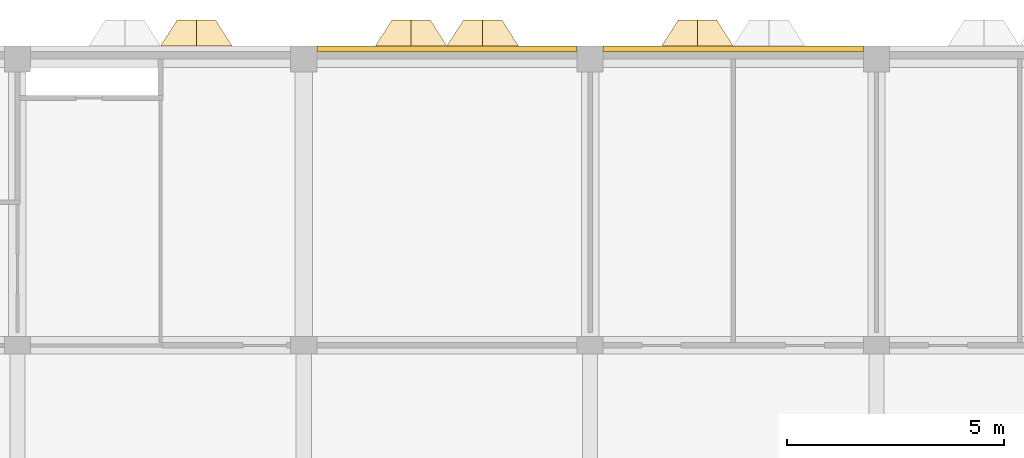
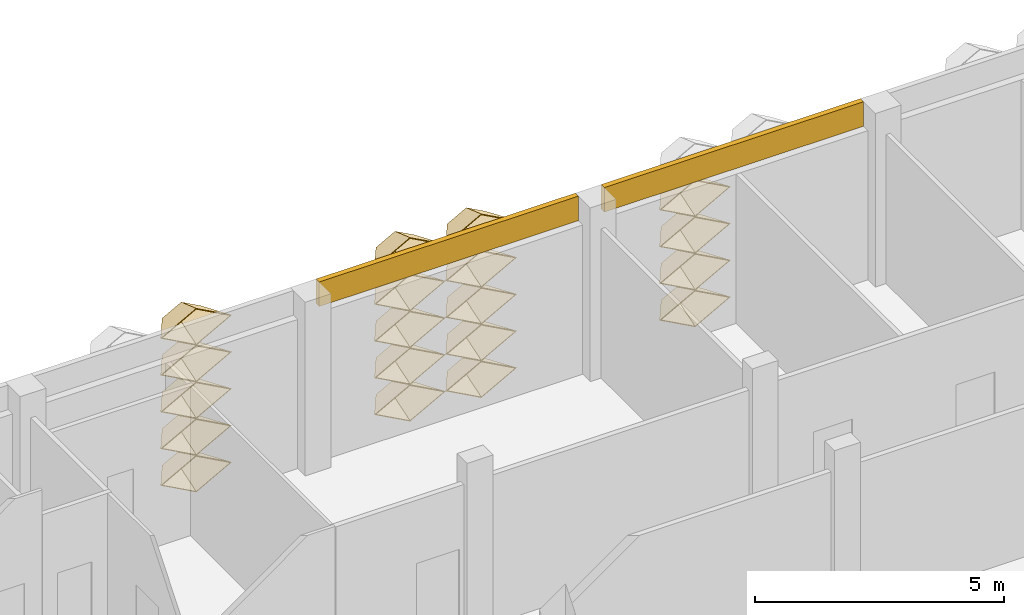
# One storey, part 77 of 85: 21 coverings.
"""IFC4 building model written with IfcOpenShell, lengths in metres."""

from ifc_helpers import new_model, entity, si_unit, direction, frame, frame_2d, origin, place, context, subcontext, project, spatial, rectangle, extrude, material, layer, layer_set, type_object, element, save


model = new_model("IFC4")

# Units and contexts
model_context = context("Model", 3, precision=1e-05, world=origin(), true_north=direction((0.0, 1.0)))
body_context = subcontext(model_context, "Body", "Model", "MODEL_VIEW")
ifc_project = project(units=[si_unit("LENGTHUNIT", "METRE"), si_unit("AREAUNIT", "SQUARE_METRE"), si_unit("VOLUMEUNIT", "CUBIC_METRE"), si_unit("PLANEANGLEUNIT", "RADIAN"), si_unit("MASSUNIT", "GRAM", prefix="KILO")], contexts=[model_context])

# Site, building, storey
site_placement = place(None, origin())
site = spatial("IfcSite", under=ifc_project, at=site_placement, CompositionType="ELEMENT")
building_placement = place(site_placement, origin())
building = spatial("IfcBuilding", under=site, at=building_placement, Name="Lantern Court Research Institute", CompositionType="ELEMENT")
storey_placement = place(building_placement, frame((0.0, 0.0, 18.89990234375)))
storey = spatial("IfcBuildingStorey", under=building, at=storey_placement, Name="L04", CompositionType="ELEMENT", Elevation=18.89990234375)

# Coverings
ifc_material_1 = material(Name="Aluminium composite panel with mineral wool insulation", Category="aluminium")
ifc_layer_1 = layer(ifc_material_1, 0.125)
ifc_layer_set_1 = layer_set([ifc_layer_1], Name="Aluminium composite panel with mineral wool insulation")
covering_type_1 = type_object("IfcCoveringType", Name="Edge fascia panel 125 aluminium faced", PredefinedType="CLADDING", material=ifc_layer_set_1)
for number, where, z_axis, x_axis, name in (
    (1, (20.10009765625, 99.237548828125, 3.650146484375), (0.0, 0.0, 1.0), (1.0, 0.0, 0.0), "Edge fascia V6N L04 03"),
    (2, (26.699951171875, 99.237548828125, 3.650146484375), (0.0, 0.0, 1.0), (1.0, 0.0, 0.0), "Edge fascia V6N L04 04"),
):
    element("IfcCovering", number, at=place(storey_placement, frame(where, z_axis=z_axis, x_axis=x_axis)), inside=storey, type_object=covering_type_1, Name=name, PredefinedType="CLADDING", context=body_context, shape_type="SweptSolid", body=[
        extrude(rectangle(XDim=6.0, YDim=0.125, at=frame_2d((3.0, 0.0))), origin(), (0.0, 0.0, 1.0), 0.599853515625),
    ])
ifc_material_2 = material(Name="Anodised aluminium", Category="aluminium")
ifc_layer_2 = layer(ifc_material_2, 0.01611328125)
ifc_layer_set_2 = layer_set([ifc_layer_2], Name="Anodised aluminium")
covering_type_2 = type_object("IfcCoveringType", Name="Fin cassette 1650 x 900 x 600 aluminium", PredefinedType="CLADDING", material=ifc_layer_set_2)
covering_1_placement = place(storey_placement, frame((17.324951171875, 99.300048828125, 0.4501953125), z_axis=(0.0, 1.0, 0.0), x_axis=(-1.0, 0.0, 0.0)))
cartesian_point_1 = entity("IfcCartesianPoint", [0.824951171875, 0.0])
cartesian_point_2 = entity("IfcCartesianPoint", [0.79150390625, 0.0])
cartesian_point_3 = entity("IfcCartesianPoint", [0.44189453125, 0.0])
cartesian_point_4 = entity("IfcCartesianPoint", [0.43359375, 0.0])
element("IfcCovering", 3, at=covering_1_placement, inside=storey, type_object=covering_type_2, Name="Fin cassette V6N-L04 1.11", PredefinedType="CLADDING", context=body_context, shape_type="SweptSolid", body=[
    entity("IfcExtrudedAreaSolidTapered", entity("IfcArbitraryProfileDefWithVoids", "AREA", None, entity("IfcPolyline", [cartesian_point_1, entity("IfcCartesianPoint", [0.0, 0.449951171875]), entity("IfcCartesianPoint", [-0.824951171875, 0.0]), entity("IfcCartesianPoint", [0.0, -0.449951171875]), cartesian_point_1]), [entity("IfcPolyline", [cartesian_point_2, entity("IfcCartesianPoint", [0.0, 0.431884765625]), entity("IfcCartesianPoint", [-0.79150390625, 0.0]), entity("IfcCartesianPoint", [0.0, -0.431884765625]), cartesian_point_2])]), entity("IfcAxis2Placement3D", entity("IfcCartesianPoint", [0.0, 0.0, 0.0])), entity("IfcDirection", [0.0, 0.0, 1.0]), 0.60009765625, entity("IfcArbitraryProfileDefWithVoids", "AREA", None, entity("IfcPolyline", [cartesian_point_3, entity("IfcCartesianPoint", [0.0, 0.240966796875]), entity("IfcCartesianPoint", [-0.44189453125, 0.0]), entity("IfcCartesianPoint", [0.0, -0.240966796875]), cartesian_point_3]), [entity("IfcPolyline", [cartesian_point_4, entity("IfcCartesianPoint", [0.0, 0.236572265625]), entity("IfcCartesianPoint", [-0.43359375, 0.0]), entity("IfcCartesianPoint", [0.0, -0.236572265625]), cartesian_point_4])])),
])
covering_2_placement = place(storey_placement, frame((22.27490234375, 99.300048828125, 0.4501953125), z_axis=(0.0, 1.0, 0.0), x_axis=(-1.0, 0.0, 0.0)))
cartesian_point_5 = entity("IfcCartesianPoint", [0.824951171875, 0.0])
cartesian_point_6 = entity("IfcCartesianPoint", [0.79150390625, 0.0])
cartesian_point_7 = entity("IfcCartesianPoint", [0.44189453125, 0.0])
cartesian_point_8 = entity("IfcCartesianPoint", [0.43359375, 0.0])
element("IfcCovering", 4, at=covering_2_placement, inside=storey, type_object=covering_type_2, Name="Fin cassette V6N-L04 1.14", PredefinedType="CLADDING", context=body_context, shape_type="SweptSolid", body=[
    entity("IfcExtrudedAreaSolidTapered", entity("IfcArbitraryProfileDefWithVoids", "AREA", None, entity("IfcPolyline", [cartesian_point_5, entity("IfcCartesianPoint", [0.0, 0.449951171875]), entity("IfcCartesianPoint", [-0.824951171875, 0.0]), entity("IfcCartesianPoint", [0.0, -0.449951171875]), cartesian_point_5]), [entity("IfcPolyline", [cartesian_point_6, entity("IfcCartesianPoint", [0.0, 0.431884765625]), entity("IfcCartesianPoint", [-0.79150390625, 0.0]), entity("IfcCartesianPoint", [0.0, -0.431884765625]), cartesian_point_6])]), entity("IfcAxis2Placement3D", entity("IfcCartesianPoint", [0.0, 0.0, 0.0])), entity("IfcDirection", [0.0, 0.0, 1.0]), 0.60009765625, entity("IfcArbitraryProfileDefWithVoids", "AREA", None, entity("IfcPolyline", [cartesian_point_7, entity("IfcCartesianPoint", [0.0, 0.240966796875]), entity("IfcCartesianPoint", [-0.44189453125, 0.0]), entity("IfcCartesianPoint", [0.0, -0.240966796875]), cartesian_point_7]), [entity("IfcPolyline", [cartesian_point_8, entity("IfcCartesianPoint", [0.0, 0.236572265625]), entity("IfcCartesianPoint", [-0.43359375, 0.0]), entity("IfcCartesianPoint", [0.0, -0.236572265625]), cartesian_point_8])])),
])
covering_3_placement = place(storey_placement, frame((23.925048828125, 99.300048828125, 0.4501953125), z_axis=(0.0, 1.0, 0.0), x_axis=(-1.0, 0.0, 0.0)))
cartesian_point_9 = entity("IfcCartesianPoint", [0.824951171875, 0.0])
cartesian_point_10 = entity("IfcCartesianPoint", [0.79150390625, 0.0])
cartesian_point_11 = entity("IfcCartesianPoint", [0.44189453125, 0.0])
cartesian_point_12 = entity("IfcCartesianPoint", [0.43359375, 0.0])
element("IfcCovering", 5, at=covering_3_placement, inside=storey, type_object=covering_type_2, Name="Fin cassette V6N-L04 1.15", PredefinedType="CLADDING", context=body_context, shape_type="SweptSolid", body=[
    entity("IfcExtrudedAreaSolidTapered", entity("IfcArbitraryProfileDefWithVoids", "AREA", None, entity("IfcPolyline", [cartesian_point_9, entity("IfcCartesianPoint", [0.0, 0.449951171875]), entity("IfcCartesianPoint", [-0.824951171875, 0.0]), entity("IfcCartesianPoint", [0.0, -0.449951171875]), cartesian_point_9]), [entity("IfcPolyline", [cartesian_point_10, entity("IfcCartesianPoint", [0.0, 0.431884765625]), entity("IfcCartesianPoint", [-0.79150390625, 0.0]), entity("IfcCartesianPoint", [0.0, -0.431884765625]), cartesian_point_10])]), entity("IfcAxis2Placement3D", entity("IfcCartesianPoint", [0.0, 0.0, 0.0])), entity("IfcDirection", [0.0, 0.0, 1.0]), 0.60009765625, entity("IfcArbitraryProfileDefWithVoids", "AREA", None, entity("IfcPolyline", [cartesian_point_11, entity("IfcCartesianPoint", [0.0, 0.240966796875]), entity("IfcCartesianPoint", [-0.44189453125, 0.0]), entity("IfcCartesianPoint", [0.0, -0.240966796875]), cartesian_point_11]), [entity("IfcPolyline", [cartesian_point_12, entity("IfcCartesianPoint", [0.0, 0.236572265625]), entity("IfcCartesianPoint", [-0.43359375, 0.0]), entity("IfcCartesianPoint", [0.0, -0.236572265625]), cartesian_point_12])])),
])
covering_4_placement = place(storey_placement, frame((28.875, 99.300048828125, 0.4501953125), z_axis=(0.0, 1.0, 0.0), x_axis=(-1.0, 0.0, 0.0)))
cartesian_point_13 = entity("IfcCartesianPoint", [0.824951171875, 0.0])
cartesian_point_14 = entity("IfcCartesianPoint", [0.79150390625, 0.0])
cartesian_point_15 = entity("IfcCartesianPoint", [0.44189453125, 0.0])
cartesian_point_16 = entity("IfcCartesianPoint", [0.43359375, 0.0])
element("IfcCovering", 6, at=covering_4_placement, inside=storey, type_object=covering_type_2, Name="Fin cassette V6N-L04 1.18", PredefinedType="CLADDING", context=body_context, shape_type="SweptSolid", body=[
    entity("IfcExtrudedAreaSolidTapered", entity("IfcArbitraryProfileDefWithVoids", "AREA", None, entity("IfcPolyline", [cartesian_point_13, entity("IfcCartesianPoint", [0.0, 0.449951171875]), entity("IfcCartesianPoint", [-0.824951171875, 0.0]), entity("IfcCartesianPoint", [0.0, -0.449951171875]), cartesian_point_13]), [entity("IfcPolyline", [cartesian_point_14, entity("IfcCartesianPoint", [0.0, 0.431884765625]), entity("IfcCartesianPoint", [-0.79150390625, 0.0]), entity("IfcCartesianPoint", [0.0, -0.431884765625]), cartesian_point_14])]), entity("IfcAxis2Placement3D", entity("IfcCartesianPoint", [0.0, 0.0, 0.0])), entity("IfcDirection", [0.0, 0.0, 1.0]), 0.60009765625, entity("IfcArbitraryProfileDefWithVoids", "AREA", None, entity("IfcPolyline", [cartesian_point_15, entity("IfcCartesianPoint", [0.0, 0.240966796875]), entity("IfcCartesianPoint", [-0.44189453125, 0.0]), entity("IfcCartesianPoint", [0.0, -0.240966796875]), cartesian_point_15]), [entity("IfcPolyline", [cartesian_point_16, entity("IfcCartesianPoint", [0.0, 0.236572265625]), entity("IfcCartesianPoint", [-0.43359375, 0.0]), entity("IfcCartesianPoint", [0.0, -0.236572265625]), cartesian_point_16])])),
])
covering_5_placement = place(storey_placement, frame((17.324951171875, 99.300048828125, 1.35009765625), z_axis=(0.0, 1.0, 0.0), x_axis=(-1.0, 0.0, 0.0)))
cartesian_point_17 = entity("IfcCartesianPoint", [0.824951171875, 0.0])
cartesian_point_18 = entity("IfcCartesianPoint", [0.79150390625, 0.0])
cartesian_point_19 = entity("IfcCartesianPoint", [0.44189453125, 0.0])
cartesian_point_20 = entity("IfcCartesianPoint", [0.43359375, 0.0])
element("IfcCovering", 7, at=covering_5_placement, inside=storey, type_object=covering_type_2, Name="Fin cassette V6N-L04 2.11", PredefinedType="CLADDING", context=body_context, shape_type="SweptSolid", body=[
    entity("IfcExtrudedAreaSolidTapered", entity("IfcArbitraryProfileDefWithVoids", "AREA", None, entity("IfcPolyline", [cartesian_point_17, entity("IfcCartesianPoint", [0.0, 0.449951171875]), entity("IfcCartesianPoint", [-0.824951171875, 0.0]), entity("IfcCartesianPoint", [0.0, -0.449951171875]), cartesian_point_17]), [entity("IfcPolyline", [cartesian_point_18, entity("IfcCartesianPoint", [0.0, 0.431884765625]), entity("IfcCartesianPoint", [-0.79150390625, 0.0]), entity("IfcCartesianPoint", [0.0, -0.431884765625]), cartesian_point_18])]), entity("IfcAxis2Placement3D", entity("IfcCartesianPoint", [0.0, 0.0, 0.0])), entity("IfcDirection", [0.0, 0.0, 1.0]), 0.60009765625, entity("IfcArbitraryProfileDefWithVoids", "AREA", None, entity("IfcPolyline", [cartesian_point_19, entity("IfcCartesianPoint", [0.0, 0.240966796875]), entity("IfcCartesianPoint", [-0.44189453125, 0.0]), entity("IfcCartesianPoint", [0.0, -0.240966796875]), cartesian_point_19]), [entity("IfcPolyline", [cartesian_point_20, entity("IfcCartesianPoint", [0.0, 0.236572265625]), entity("IfcCartesianPoint", [-0.43359375, 0.0]), entity("IfcCartesianPoint", [0.0, -0.236572265625]), cartesian_point_20])])),
])
covering_6_placement = place(storey_placement, frame((22.27490234375, 99.300048828125, 1.35009765625), z_axis=(0.0, 1.0, 0.0), x_axis=(-1.0, 0.0, 0.0)))
cartesian_point_21 = entity("IfcCartesianPoint", [0.824951171875, 0.0])
cartesian_point_22 = entity("IfcCartesianPoint", [0.79150390625, 0.0])
cartesian_point_23 = entity("IfcCartesianPoint", [0.44189453125, 0.0])
cartesian_point_24 = entity("IfcCartesianPoint", [0.43359375, 0.0])
element("IfcCovering", 8, at=covering_6_placement, inside=storey, type_object=covering_type_2, Name="Fin cassette V6N-L04 2.14", PredefinedType="CLADDING", context=body_context, shape_type="SweptSolid", body=[
    entity("IfcExtrudedAreaSolidTapered", entity("IfcArbitraryProfileDefWithVoids", "AREA", None, entity("IfcPolyline", [cartesian_point_21, entity("IfcCartesianPoint", [0.0, 0.449951171875]), entity("IfcCartesianPoint", [-0.824951171875, 0.0]), entity("IfcCartesianPoint", [0.0, -0.449951171875]), cartesian_point_21]), [entity("IfcPolyline", [cartesian_point_22, entity("IfcCartesianPoint", [0.0, 0.431884765625]), entity("IfcCartesianPoint", [-0.79150390625, 0.0]), entity("IfcCartesianPoint", [0.0, -0.431884765625]), cartesian_point_22])]), entity("IfcAxis2Placement3D", entity("IfcCartesianPoint", [0.0, 0.0, 0.0])), entity("IfcDirection", [0.0, 0.0, 1.0]), 0.60009765625, entity("IfcArbitraryProfileDefWithVoids", "AREA", None, entity("IfcPolyline", [cartesian_point_23, entity("IfcCartesianPoint", [0.0, 0.240966796875]), entity("IfcCartesianPoint", [-0.44189453125, 0.0]), entity("IfcCartesianPoint", [0.0, -0.240966796875]), cartesian_point_23]), [entity("IfcPolyline", [cartesian_point_24, entity("IfcCartesianPoint", [0.0, 0.236572265625]), entity("IfcCartesianPoint", [-0.43359375, 0.0]), entity("IfcCartesianPoint", [0.0, -0.236572265625]), cartesian_point_24])])),
])
covering_7_placement = place(storey_placement, frame((23.925048828125, 99.300048828125, 1.35009765625), z_axis=(0.0, 1.0, 0.0), x_axis=(-1.0, 0.0, 0.0)))
cartesian_point_25 = entity("IfcCartesianPoint", [0.824951171875, 0.0])
cartesian_point_26 = entity("IfcCartesianPoint", [0.79150390625, 0.0])
cartesian_point_27 = entity("IfcCartesianPoint", [0.44189453125, 0.0])
cartesian_point_28 = entity("IfcCartesianPoint", [0.43359375, 0.0])
element("IfcCovering", 9, at=covering_7_placement, inside=storey, type_object=covering_type_2, Name="Fin cassette V6N-L04 2.15", PredefinedType="CLADDING", context=body_context, shape_type="SweptSolid", body=[
    entity("IfcExtrudedAreaSolidTapered", entity("IfcArbitraryProfileDefWithVoids", "AREA", None, entity("IfcPolyline", [cartesian_point_25, entity("IfcCartesianPoint", [0.0, 0.449951171875]), entity("IfcCartesianPoint", [-0.824951171875, 0.0]), entity("IfcCartesianPoint", [0.0, -0.449951171875]), cartesian_point_25]), [entity("IfcPolyline", [cartesian_point_26, entity("IfcCartesianPoint", [0.0, 0.431884765625]), entity("IfcCartesianPoint", [-0.79150390625, 0.0]), entity("IfcCartesianPoint", [0.0, -0.431884765625]), cartesian_point_26])]), entity("IfcAxis2Placement3D", entity("IfcCartesianPoint", [0.0, 0.0, 0.0])), entity("IfcDirection", [0.0, 0.0, 1.0]), 0.60009765625, entity("IfcArbitraryProfileDefWithVoids", "AREA", None, entity("IfcPolyline", [cartesian_point_27, entity("IfcCartesianPoint", [0.0, 0.240966796875]), entity("IfcCartesianPoint", [-0.44189453125, 0.0]), entity("IfcCartesianPoint", [0.0, -0.240966796875]), cartesian_point_27]), [entity("IfcPolyline", [cartesian_point_28, entity("IfcCartesianPoint", [0.0, 0.236572265625]), entity("IfcCartesianPoint", [-0.43359375, 0.0]), entity("IfcCartesianPoint", [0.0, -0.236572265625]), cartesian_point_28])])),
])
covering_8_placement = place(storey_placement, frame((28.875, 99.300048828125, 1.35009765625), z_axis=(0.0, 1.0, 0.0), x_axis=(-1.0, 0.0, 0.0)))
cartesian_point_29 = entity("IfcCartesianPoint", [0.824951171875, 0.0])
cartesian_point_30 = entity("IfcCartesianPoint", [0.79150390625, 0.0])
cartesian_point_31 = entity("IfcCartesianPoint", [0.44189453125, 0.0])
cartesian_point_32 = entity("IfcCartesianPoint", [0.43359375, 0.0])
element("IfcCovering", 10, at=covering_8_placement, inside=storey, type_object=covering_type_2, Name="Fin cassette V6N-L04 2.18", PredefinedType="CLADDING", context=body_context, shape_type="SweptSolid", body=[
    entity("IfcExtrudedAreaSolidTapered", entity("IfcArbitraryProfileDefWithVoids", "AREA", None, entity("IfcPolyline", [cartesian_point_29, entity("IfcCartesianPoint", [0.0, 0.449951171875]), entity("IfcCartesianPoint", [-0.824951171875, 0.0]), entity("IfcCartesianPoint", [0.0, -0.449951171875]), cartesian_point_29]), [entity("IfcPolyline", [cartesian_point_30, entity("IfcCartesianPoint", [0.0, 0.431884765625]), entity("IfcCartesianPoint", [-0.79150390625, 0.0]), entity("IfcCartesianPoint", [0.0, -0.431884765625]), cartesian_point_30])]), entity("IfcAxis2Placement3D", entity("IfcCartesianPoint", [0.0, 0.0, 0.0])), entity("IfcDirection", [0.0, 0.0, 1.0]), 0.60009765625, entity("IfcArbitraryProfileDefWithVoids", "AREA", None, entity("IfcPolyline", [cartesian_point_31, entity("IfcCartesianPoint", [0.0, 0.240966796875]), entity("IfcCartesianPoint", [-0.44189453125, 0.0]), entity("IfcCartesianPoint", [0.0, -0.240966796875]), cartesian_point_31]), [entity("IfcPolyline", [cartesian_point_32, entity("IfcCartesianPoint", [0.0, 0.236572265625]), entity("IfcCartesianPoint", [-0.43359375, 0.0]), entity("IfcCartesianPoint", [0.0, -0.236572265625]), cartesian_point_32])])),
])
covering_9_placement = place(storey_placement, frame((17.324951171875, 99.300048828125, 2.25), z_axis=(0.0, 1.0, 0.0), x_axis=(-1.0, 0.0, 0.0)))
cartesian_point_33 = entity("IfcCartesianPoint", [0.824951171875, 0.0])
cartesian_point_34 = entity("IfcCartesianPoint", [0.79150390625, 0.0])
cartesian_point_35 = entity("IfcCartesianPoint", [0.44189453125, 0.0])
cartesian_point_36 = entity("IfcCartesianPoint", [0.43359375, 0.0])
element("IfcCovering", 11, at=covering_9_placement, inside=storey, type_object=covering_type_2, Name="Fin cassette V6N-L04 3.11", PredefinedType="CLADDING", context=body_context, shape_type="SweptSolid", body=[
    entity("IfcExtrudedAreaSolidTapered", entity("IfcArbitraryProfileDefWithVoids", "AREA", None, entity("IfcPolyline", [cartesian_point_33, entity("IfcCartesianPoint", [0.0, 0.449951171875]), entity("IfcCartesianPoint", [-0.824951171875, 0.0]), entity("IfcCartesianPoint", [0.0, -0.449951171875]), cartesian_point_33]), [entity("IfcPolyline", [cartesian_point_34, entity("IfcCartesianPoint", [0.0, 0.431884765625]), entity("IfcCartesianPoint", [-0.79150390625, 0.0]), entity("IfcCartesianPoint", [0.0, -0.431884765625]), cartesian_point_34])]), entity("IfcAxis2Placement3D", entity("IfcCartesianPoint", [0.0, 0.0, 0.0])), entity("IfcDirection", [0.0, 0.0, 1.0]), 0.60009765625, entity("IfcArbitraryProfileDefWithVoids", "AREA", None, entity("IfcPolyline", [cartesian_point_35, entity("IfcCartesianPoint", [0.0, 0.240966796875]), entity("IfcCartesianPoint", [-0.44189453125, 0.0]), entity("IfcCartesianPoint", [0.0, -0.240966796875]), cartesian_point_35]), [entity("IfcPolyline", [cartesian_point_36, entity("IfcCartesianPoint", [0.0, 0.236572265625]), entity("IfcCartesianPoint", [-0.43359375, 0.0]), entity("IfcCartesianPoint", [0.0, -0.236572265625]), cartesian_point_36])])),
])
covering_10_placement = place(storey_placement, frame((22.27490234375, 99.300048828125, 2.25), z_axis=(0.0, 1.0, 0.0), x_axis=(-1.0, 0.0, 0.0)))
cartesian_point_37 = entity("IfcCartesianPoint", [0.824951171875, 0.0])
cartesian_point_38 = entity("IfcCartesianPoint", [0.79150390625, 0.0])
cartesian_point_39 = entity("IfcCartesianPoint", [0.44189453125, 0.0])
cartesian_point_40 = entity("IfcCartesianPoint", [0.43359375, 0.0])
element("IfcCovering", 12, at=covering_10_placement, inside=storey, type_object=covering_type_2, Name="Fin cassette V6N-L04 3.14", PredefinedType="CLADDING", context=body_context, shape_type="SweptSolid", body=[
    entity("IfcExtrudedAreaSolidTapered", entity("IfcArbitraryProfileDefWithVoids", "AREA", None, entity("IfcPolyline", [cartesian_point_37, entity("IfcCartesianPoint", [0.0, 0.449951171875]), entity("IfcCartesianPoint", [-0.824951171875, 0.0]), entity("IfcCartesianPoint", [0.0, -0.449951171875]), cartesian_point_37]), [entity("IfcPolyline", [cartesian_point_38, entity("IfcCartesianPoint", [0.0, 0.431884765625]), entity("IfcCartesianPoint", [-0.79150390625, 0.0]), entity("IfcCartesianPoint", [0.0, -0.431884765625]), cartesian_point_38])]), entity("IfcAxis2Placement3D", entity("IfcCartesianPoint", [0.0, 0.0, 0.0])), entity("IfcDirection", [0.0, 0.0, 1.0]), 0.60009765625, entity("IfcArbitraryProfileDefWithVoids", "AREA", None, entity("IfcPolyline", [cartesian_point_39, entity("IfcCartesianPoint", [0.0, 0.240966796875]), entity("IfcCartesianPoint", [-0.44189453125, 0.0]), entity("IfcCartesianPoint", [0.0, -0.240966796875]), cartesian_point_39]), [entity("IfcPolyline", [cartesian_point_40, entity("IfcCartesianPoint", [0.0, 0.236572265625]), entity("IfcCartesianPoint", [-0.43359375, 0.0]), entity("IfcCartesianPoint", [0.0, -0.236572265625]), cartesian_point_40])])),
])
covering_11_placement = place(storey_placement, frame((23.925048828125, 99.300048828125, 2.25), z_axis=(0.0, 1.0, 0.0), x_axis=(-1.0, 0.0, 0.0)))
cartesian_point_41 = entity("IfcCartesianPoint", [0.824951171875, 0.0])
cartesian_point_42 = entity("IfcCartesianPoint", [0.79150390625, 0.0])
cartesian_point_43 = entity("IfcCartesianPoint", [0.44189453125, 0.0])
cartesian_point_44 = entity("IfcCartesianPoint", [0.43359375, 0.0])
element("IfcCovering", 13, at=covering_11_placement, inside=storey, type_object=covering_type_2, Name="Fin cassette V6N-L04 3.15", PredefinedType="CLADDING", context=body_context, shape_type="SweptSolid", body=[
    entity("IfcExtrudedAreaSolidTapered", entity("IfcArbitraryProfileDefWithVoids", "AREA", None, entity("IfcPolyline", [cartesian_point_41, entity("IfcCartesianPoint", [0.0, 0.449951171875]), entity("IfcCartesianPoint", [-0.824951171875, 0.0]), entity("IfcCartesianPoint", [0.0, -0.449951171875]), cartesian_point_41]), [entity("IfcPolyline", [cartesian_point_42, entity("IfcCartesianPoint", [0.0, 0.431884765625]), entity("IfcCartesianPoint", [-0.79150390625, 0.0]), entity("IfcCartesianPoint", [0.0, -0.431884765625]), cartesian_point_42])]), entity("IfcAxis2Placement3D", entity("IfcCartesianPoint", [0.0, 0.0, 0.0])), entity("IfcDirection", [0.0, 0.0, 1.0]), 0.60009765625, entity("IfcArbitraryProfileDefWithVoids", "AREA", None, entity("IfcPolyline", [cartesian_point_43, entity("IfcCartesianPoint", [0.0, 0.240966796875]), entity("IfcCartesianPoint", [-0.44189453125, 0.0]), entity("IfcCartesianPoint", [0.0, -0.240966796875]), cartesian_point_43]), [entity("IfcPolyline", [cartesian_point_44, entity("IfcCartesianPoint", [0.0, 0.236572265625]), entity("IfcCartesianPoint", [-0.43359375, 0.0]), entity("IfcCartesianPoint", [0.0, -0.236572265625]), cartesian_point_44])])),
])
covering_12_placement = place(storey_placement, frame((28.875, 99.300048828125, 2.25), z_axis=(0.0, 1.0, 0.0), x_axis=(-1.0, 0.0, 0.0)))
cartesian_point_45 = entity("IfcCartesianPoint", [0.824951171875, 0.0])
cartesian_point_46 = entity("IfcCartesianPoint", [0.79150390625, 0.0])
cartesian_point_47 = entity("IfcCartesianPoint", [0.44189453125, 0.0])
cartesian_point_48 = entity("IfcCartesianPoint", [0.43359375, 0.0])
element("IfcCovering", 14, at=covering_12_placement, inside=storey, type_object=covering_type_2, Name="Fin cassette V6N-L04 3.18", PredefinedType="CLADDING", context=body_context, shape_type="SweptSolid", body=[
    entity("IfcExtrudedAreaSolidTapered", entity("IfcArbitraryProfileDefWithVoids", "AREA", None, entity("IfcPolyline", [cartesian_point_45, entity("IfcCartesianPoint", [0.0, 0.449951171875]), entity("IfcCartesianPoint", [-0.824951171875, 0.0]), entity("IfcCartesianPoint", [0.0, -0.449951171875]), cartesian_point_45]), [entity("IfcPolyline", [cartesian_point_46, entity("IfcCartesianPoint", [0.0, 0.431884765625]), entity("IfcCartesianPoint", [-0.79150390625, 0.0]), entity("IfcCartesianPoint", [0.0, -0.431884765625]), cartesian_point_46])]), entity("IfcAxis2Placement3D", entity("IfcCartesianPoint", [0.0, 0.0, 0.0])), entity("IfcDirection", [0.0, 0.0, 1.0]), 0.60009765625, entity("IfcArbitraryProfileDefWithVoids", "AREA", None, entity("IfcPolyline", [cartesian_point_47, entity("IfcCartesianPoint", [0.0, 0.240966796875]), entity("IfcCartesianPoint", [-0.44189453125, 0.0]), entity("IfcCartesianPoint", [0.0, -0.240966796875]), cartesian_point_47]), [entity("IfcPolyline", [cartesian_point_48, entity("IfcCartesianPoint", [0.0, 0.236572265625]), entity("IfcCartesianPoint", [-0.43359375, 0.0]), entity("IfcCartesianPoint", [0.0, -0.236572265625]), cartesian_point_48])])),
])
covering_13_placement = place(storey_placement, frame((17.324951171875, 99.300048828125, 3.150146484375), z_axis=(0.0, 1.0, 0.0), x_axis=(-1.0, 0.0, 0.0)))
cartesian_point_49 = entity("IfcCartesianPoint", [0.824951171875, 0.0])
cartesian_point_50 = entity("IfcCartesianPoint", [0.79150390625, 0.0])
cartesian_point_51 = entity("IfcCartesianPoint", [0.44189453125, 0.0])
cartesian_point_52 = entity("IfcCartesianPoint", [0.43359375, 0.0])
element("IfcCovering", 15, at=covering_13_placement, inside=storey, type_object=covering_type_2, Name="Fin cassette V6N-L04 4.11", PredefinedType="CLADDING", context=body_context, shape_type="SweptSolid", body=[
    entity("IfcExtrudedAreaSolidTapered", entity("IfcArbitraryProfileDefWithVoids", "AREA", None, entity("IfcPolyline", [cartesian_point_49, entity("IfcCartesianPoint", [0.0, 0.449951171875]), entity("IfcCartesianPoint", [-0.824951171875, 0.0]), entity("IfcCartesianPoint", [0.0, -0.449951171875]), cartesian_point_49]), [entity("IfcPolyline", [cartesian_point_50, entity("IfcCartesianPoint", [0.0, 0.431884765625]), entity("IfcCartesianPoint", [-0.79150390625, 0.0]), entity("IfcCartesianPoint", [0.0, -0.431884765625]), cartesian_point_50])]), entity("IfcAxis2Placement3D", entity("IfcCartesianPoint", [0.0, 0.0, 0.0])), entity("IfcDirection", [0.0, 0.0, 1.0]), 0.60009765625, entity("IfcArbitraryProfileDefWithVoids", "AREA", None, entity("IfcPolyline", [cartesian_point_51, entity("IfcCartesianPoint", [0.0, 0.240966796875]), entity("IfcCartesianPoint", [-0.44189453125, 0.0]), entity("IfcCartesianPoint", [0.0, -0.240966796875]), cartesian_point_51]), [entity("IfcPolyline", [cartesian_point_52, entity("IfcCartesianPoint", [0.0, 0.236572265625]), entity("IfcCartesianPoint", [-0.43359375, 0.0]), entity("IfcCartesianPoint", [0.0, -0.236572265625]), cartesian_point_52])])),
])
covering_14_placement = place(storey_placement, frame((22.27490234375, 99.300048828125, 3.150146484375), z_axis=(0.0, 1.0, 0.0), x_axis=(-1.0, 0.0, 0.0)))
cartesian_point_53 = entity("IfcCartesianPoint", [0.824951171875, 0.0])
cartesian_point_54 = entity("IfcCartesianPoint", [0.79150390625, 0.0])
cartesian_point_55 = entity("IfcCartesianPoint", [0.44189453125, 0.0])
cartesian_point_56 = entity("IfcCartesianPoint", [0.43359375, 0.0])
element("IfcCovering", 16, at=covering_14_placement, inside=storey, type_object=covering_type_2, Name="Fin cassette V6N-L04 4.14", PredefinedType="CLADDING", context=body_context, shape_type="SweptSolid", body=[
    entity("IfcExtrudedAreaSolidTapered", entity("IfcArbitraryProfileDefWithVoids", "AREA", None, entity("IfcPolyline", [cartesian_point_53, entity("IfcCartesianPoint", [0.0, 0.449951171875]), entity("IfcCartesianPoint", [-0.824951171875, 0.0]), entity("IfcCartesianPoint", [0.0, -0.449951171875]), cartesian_point_53]), [entity("IfcPolyline", [cartesian_point_54, entity("IfcCartesianPoint", [0.0, 0.431884765625]), entity("IfcCartesianPoint", [-0.79150390625, 0.0]), entity("IfcCartesianPoint", [0.0, -0.431884765625]), cartesian_point_54])]), entity("IfcAxis2Placement3D", entity("IfcCartesianPoint", [0.0, 0.0, 0.0])), entity("IfcDirection", [0.0, 0.0, 1.0]), 0.60009765625, entity("IfcArbitraryProfileDefWithVoids", "AREA", None, entity("IfcPolyline", [cartesian_point_55, entity("IfcCartesianPoint", [0.0, 0.240966796875]), entity("IfcCartesianPoint", [-0.44189453125, 0.0]), entity("IfcCartesianPoint", [0.0, -0.240966796875]), cartesian_point_55]), [entity("IfcPolyline", [cartesian_point_56, entity("IfcCartesianPoint", [0.0, 0.236572265625]), entity("IfcCartesianPoint", [-0.43359375, 0.0]), entity("IfcCartesianPoint", [0.0, -0.236572265625]), cartesian_point_56])])),
])
covering_15_placement = place(storey_placement, frame((23.925048828125, 99.300048828125, 3.150146484375), z_axis=(0.0, 1.0, 0.0), x_axis=(-1.0, 0.0, 0.0)))
cartesian_point_57 = entity("IfcCartesianPoint", [0.824951171875, 0.0])
cartesian_point_58 = entity("IfcCartesianPoint", [0.79150390625, 0.0])
cartesian_point_59 = entity("IfcCartesianPoint", [0.44189453125, 0.0])
cartesian_point_60 = entity("IfcCartesianPoint", [0.43359375, 0.0])
element("IfcCovering", 17, at=covering_15_placement, inside=storey, type_object=covering_type_2, Name="Fin cassette V6N-L04 4.15", PredefinedType="CLADDING", context=body_context, shape_type="SweptSolid", body=[
    entity("IfcExtrudedAreaSolidTapered", entity("IfcArbitraryProfileDefWithVoids", "AREA", None, entity("IfcPolyline", [cartesian_point_57, entity("IfcCartesianPoint", [0.0, 0.449951171875]), entity("IfcCartesianPoint", [-0.824951171875, 0.0]), entity("IfcCartesianPoint", [0.0, -0.449951171875]), cartesian_point_57]), [entity("IfcPolyline", [cartesian_point_58, entity("IfcCartesianPoint", [0.0, 0.431884765625]), entity("IfcCartesianPoint", [-0.79150390625, 0.0]), entity("IfcCartesianPoint", [0.0, -0.431884765625]), cartesian_point_58])]), entity("IfcAxis2Placement3D", entity("IfcCartesianPoint", [0.0, 0.0, 0.0])), entity("IfcDirection", [0.0, 0.0, 1.0]), 0.60009765625, entity("IfcArbitraryProfileDefWithVoids", "AREA", None, entity("IfcPolyline", [cartesian_point_59, entity("IfcCartesianPoint", [0.0, 0.240966796875]), entity("IfcCartesianPoint", [-0.44189453125, 0.0]), entity("IfcCartesianPoint", [0.0, -0.240966796875]), cartesian_point_59]), [entity("IfcPolyline", [cartesian_point_60, entity("IfcCartesianPoint", [0.0, 0.236572265625]), entity("IfcCartesianPoint", [-0.43359375, 0.0]), entity("IfcCartesianPoint", [0.0, -0.236572265625]), cartesian_point_60])])),
])
covering_16_placement = place(storey_placement, frame((28.875, 99.300048828125, 3.150146484375), z_axis=(0.0, 1.0, 0.0), x_axis=(-1.0, 0.0, 0.0)))
cartesian_point_61 = entity("IfcCartesianPoint", [0.824951171875, 0.0])
cartesian_point_62 = entity("IfcCartesianPoint", [0.79150390625, 0.0])
cartesian_point_63 = entity("IfcCartesianPoint", [0.44189453125, 0.0])
cartesian_point_64 = entity("IfcCartesianPoint", [0.43359375, 0.0])
element("IfcCovering", 18, at=covering_16_placement, inside=storey, type_object=covering_type_2, Name="Fin cassette V6N-L04 4.18", PredefinedType="CLADDING", context=body_context, shape_type="SweptSolid", body=[
    entity("IfcExtrudedAreaSolidTapered", entity("IfcArbitraryProfileDefWithVoids", "AREA", None, entity("IfcPolyline", [cartesian_point_61, entity("IfcCartesianPoint", [0.0, 0.449951171875]), entity("IfcCartesianPoint", [-0.824951171875, 0.0]), entity("IfcCartesianPoint", [0.0, -0.449951171875]), cartesian_point_61]), [entity("IfcPolyline", [cartesian_point_62, entity("IfcCartesianPoint", [0.0, 0.431884765625]), entity("IfcCartesianPoint", [-0.79150390625, 0.0]), entity("IfcCartesianPoint", [0.0, -0.431884765625]), cartesian_point_62])]), entity("IfcAxis2Placement3D", entity("IfcCartesianPoint", [0.0, 0.0, 0.0])), entity("IfcDirection", [0.0, 0.0, 1.0]), 0.60009765625, entity("IfcArbitraryProfileDefWithVoids", "AREA", None, entity("IfcPolyline", [cartesian_point_63, entity("IfcCartesianPoint", [0.0, 0.240966796875]), entity("IfcCartesianPoint", [-0.44189453125, 0.0]), entity("IfcCartesianPoint", [0.0, -0.240966796875]), cartesian_point_63]), [entity("IfcPolyline", [cartesian_point_64, entity("IfcCartesianPoint", [0.0, 0.236572265625]), entity("IfcCartesianPoint", [-0.43359375, 0.0]), entity("IfcCartesianPoint", [0.0, -0.236572265625]), cartesian_point_64])])),
])
covering_17_placement = place(storey_placement, frame((17.324951171875, 99.300048828125, 4.050048828125), z_axis=(0.0, 1.0, 0.0), x_axis=(-1.0, 0.0, 0.0)))
cartesian_point_65 = entity("IfcCartesianPoint", [0.824951171875, 0.0])
cartesian_point_66 = entity("IfcCartesianPoint", [0.79150390625, 0.0])
cartesian_point_67 = entity("IfcCartesianPoint", [0.44189453125, 0.0])
cartesian_point_68 = entity("IfcCartesianPoint", [0.43359375, 0.0])
element("IfcCovering", 19, at=covering_17_placement, inside=storey, type_object=covering_type_2, Name="Fin cassette V6N-L04 5.11", PredefinedType="CLADDING", context=body_context, shape_type="SweptSolid", body=[
    entity("IfcExtrudedAreaSolidTapered", entity("IfcArbitraryProfileDefWithVoids", "AREA", None, entity("IfcPolyline", [cartesian_point_65, entity("IfcCartesianPoint", [0.0, 0.449951171875]), entity("IfcCartesianPoint", [-0.824951171875, 0.0]), entity("IfcCartesianPoint", [0.0, -0.449951171875]), cartesian_point_65]), [entity("IfcPolyline", [cartesian_point_66, entity("IfcCartesianPoint", [0.0, 0.431884765625]), entity("IfcCartesianPoint", [-0.79150390625, 0.0]), entity("IfcCartesianPoint", [0.0, -0.431884765625]), cartesian_point_66])]), entity("IfcAxis2Placement3D", entity("IfcCartesianPoint", [0.0, 0.0, 0.0])), entity("IfcDirection", [0.0, 0.0, 1.0]), 0.60009765625, entity("IfcArbitraryProfileDefWithVoids", "AREA", None, entity("IfcPolyline", [cartesian_point_67, entity("IfcCartesianPoint", [0.0, 0.240966796875]), entity("IfcCartesianPoint", [-0.44189453125, 0.0]), entity("IfcCartesianPoint", [0.0, -0.240966796875]), cartesian_point_67]), [entity("IfcPolyline", [cartesian_point_68, entity("IfcCartesianPoint", [0.0, 0.236572265625]), entity("IfcCartesianPoint", [-0.43359375, 0.0]), entity("IfcCartesianPoint", [0.0, -0.236572265625]), cartesian_point_68])])),
])
covering_18_placement = place(storey_placement, frame((22.27490234375, 99.300048828125, 4.050048828125), z_axis=(0.0, 1.0, 0.0), x_axis=(-1.0, 0.0, 0.0)))
cartesian_point_69 = entity("IfcCartesianPoint", [0.824951171875, 0.0])
cartesian_point_70 = entity("IfcCartesianPoint", [0.79150390625, 0.0])
cartesian_point_71 = entity("IfcCartesianPoint", [0.44189453125, 0.0])
cartesian_point_72 = entity("IfcCartesianPoint", [0.43359375, 0.0])
element("IfcCovering", 20, at=covering_18_placement, inside=storey, type_object=covering_type_2, Name="Fin cassette V6N-L04 5.14", PredefinedType="CLADDING", context=body_context, shape_type="SweptSolid", body=[
    entity("IfcExtrudedAreaSolidTapered", entity("IfcArbitraryProfileDefWithVoids", "AREA", None, entity("IfcPolyline", [cartesian_point_69, entity("IfcCartesianPoint", [0.0, 0.449951171875]), entity("IfcCartesianPoint", [-0.824951171875, 0.0]), entity("IfcCartesianPoint", [0.0, -0.449951171875]), cartesian_point_69]), [entity("IfcPolyline", [cartesian_point_70, entity("IfcCartesianPoint", [0.0, 0.431884765625]), entity("IfcCartesianPoint", [-0.79150390625, 0.0]), entity("IfcCartesianPoint", [0.0, -0.431884765625]), cartesian_point_70])]), entity("IfcAxis2Placement3D", entity("IfcCartesianPoint", [0.0, 0.0, 0.0])), entity("IfcDirection", [0.0, 0.0, 1.0]), 0.60009765625, entity("IfcArbitraryProfileDefWithVoids", "AREA", None, entity("IfcPolyline", [cartesian_point_71, entity("IfcCartesianPoint", [0.0, 0.240966796875]), entity("IfcCartesianPoint", [-0.44189453125, 0.0]), entity("IfcCartesianPoint", [0.0, -0.240966796875]), cartesian_point_71]), [entity("IfcPolyline", [cartesian_point_72, entity("IfcCartesianPoint", [0.0, 0.236572265625]), entity("IfcCartesianPoint", [-0.43359375, 0.0]), entity("IfcCartesianPoint", [0.0, -0.236572265625]), cartesian_point_72])])),
])
covering_19_placement = place(storey_placement, frame((23.925048828125, 99.300048828125, 4.050048828125), z_axis=(0.0, 1.0, 0.0), x_axis=(-1.0, 0.0, 0.0)))
cartesian_point_73 = entity("IfcCartesianPoint", [0.824951171875, 0.0])
cartesian_point_74 = entity("IfcCartesianPoint", [0.79150390625, 0.0])
cartesian_point_75 = entity("IfcCartesianPoint", [0.44189453125, 0.0])
cartesian_point_76 = entity("IfcCartesianPoint", [0.43359375, 0.0])
element("IfcCovering", 21, at=covering_19_placement, inside=storey, type_object=covering_type_2, Name="Fin cassette V6N-L04 5.15", PredefinedType="CLADDING", context=body_context, shape_type="SweptSolid", body=[
    entity("IfcExtrudedAreaSolidTapered", entity("IfcArbitraryProfileDefWithVoids", "AREA", None, entity("IfcPolyline", [cartesian_point_73, entity("IfcCartesianPoint", [0.0, 0.449951171875]), entity("IfcCartesianPoint", [-0.824951171875, 0.0]), entity("IfcCartesianPoint", [0.0, -0.449951171875]), cartesian_point_73]), [entity("IfcPolyline", [cartesian_point_74, entity("IfcCartesianPoint", [0.0, 0.431884765625]), entity("IfcCartesianPoint", [-0.79150390625, 0.0]), entity("IfcCartesianPoint", [0.0, -0.431884765625]), cartesian_point_74])]), entity("IfcAxis2Placement3D", entity("IfcCartesianPoint", [0.0, 0.0, 0.0])), entity("IfcDirection", [0.0, 0.0, 1.0]), 0.60009765625, entity("IfcArbitraryProfileDefWithVoids", "AREA", None, entity("IfcPolyline", [cartesian_point_75, entity("IfcCartesianPoint", [0.0, 0.240966796875]), entity("IfcCartesianPoint", [-0.44189453125, 0.0]), entity("IfcCartesianPoint", [0.0, -0.240966796875]), cartesian_point_75]), [entity("IfcPolyline", [cartesian_point_76, entity("IfcCartesianPoint", [0.0, 0.236572265625]), entity("IfcCartesianPoint", [-0.43359375, 0.0]), entity("IfcCartesianPoint", [0.0, -0.236572265625]), cartesian_point_76])])),
])

save(model, "model.ifc")
